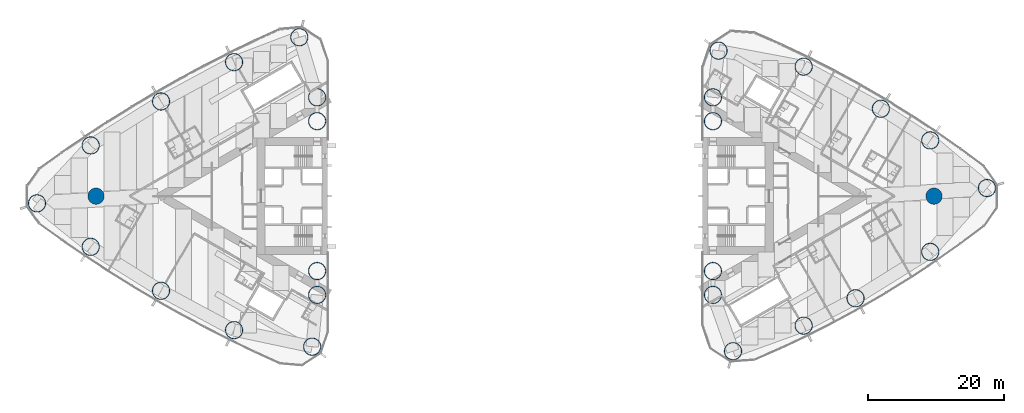
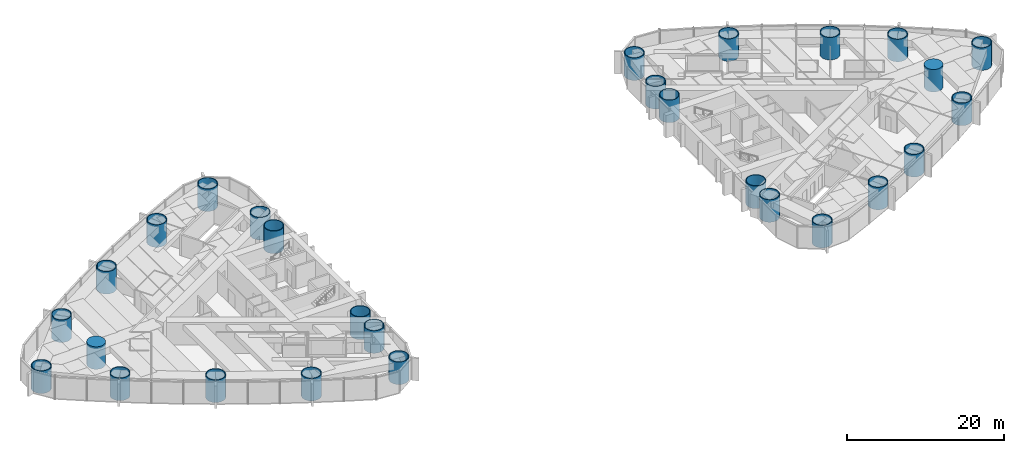
# One storey, part 1 of 18: 28 columns.
"""IFC4 building model written with IfcOpenShell, lengths in metres."""

from ifc_helpers import new_model, si_unit, direction, frame, origin, origin_2d, place, context, subcontext, project, spatial, circle, hollow_circle, extrude, material, material_profile, profile_set, type_object, element, save


model = new_model("IFC4")

# Units and contexts
model_context = context("Model", 3, precision=1e-05, world=origin(), true_north=direction((0.0, 1.0)))
body_context = subcontext(model_context, "Body", "Model", "MODEL_VIEW")
ifc_project = project(units=[si_unit("LENGTHUNIT", "METRE"), si_unit("AREAUNIT", "SQUARE_METRE"), si_unit("VOLUMEUNIT", "CUBIC_METRE"), si_unit("PLANEANGLEUNIT", "RADIAN"), si_unit("MASSUNIT", "GRAM", prefix="KILO")], contexts=[model_context])

# Site, building, storey
site_placement = place(None, origin())
site = spatial("IfcSite", under=ifc_project, at=site_placement, CompositionType="ELEMENT")
building_placement = place(site_placement, origin())
building = spatial("IfcBuilding", under=site, at=building_placement, Name="Lancet Gate Hotel", CompositionType="ELEMENT")
storey_placement = place(building_placement, frame((0.0, 0.0, 115.10009765625)))
storey = spatial("IfcBuildingStorey", under=building, at=storey_placement, Name="L30", CompositionType="ELEMENT", Elevation=115.10009765625)

# Columns
ifc_material_1 = material(Name="Concrete C80/95", Category="concrete")
ifc_material_profile_1 = material_profile(ifc_material_1, circle(Radius=1.199951171875, at=origin_2d()), Name="RC D2400")
ifc_profile_set_1 = profile_set([ifc_material_profile_1], Name="Concrete C80/95")
column_type_1 = type_object("IfcColumnType", Name="Apex column RC D2400", PredefinedType="COLUMN", material=ifc_profile_set_1)
for number, where, z_axis, x_axis, name in (
    (1, (-61.5, 0.0, 0.0), (0.0, 0.0, 1.0), (1.0, 0.0, 0.0), "T1 column AX L30"),
    (2, (61.5, 0.0, 0.0), (0.0, 0.0, 1.0), (1.0, 0.0, 0.0), "T2 column AX L30"),
):
    element("IfcColumn", number, at=place(storey_placement, frame(where, z_axis=z_axis, x_axis=x_axis)), inside=storey, type_object=column_type_1, Name=name, PredefinedType="COLUMN", context=body_context, shape_type="SweptSolid", body=[
        extrude(circle(Radius=1.199951171875, at=origin_2d()), origin(), (0.0, 0.0, 1.0), 3.5),
    ])
ifc_material_2 = material(Name="Composite filled tube, grade 460 plate, grade 80/95 fill", Category="composite")
ifc_material_profile_2 = material_profile(ifc_material_2, hollow_circle(Radius=1.300048828125, WallThickness=0.10009765625, at=origin_2d()), Name="CHS 2600x100")
ifc_profile_set_2 = profile_set([ifc_material_profile_2], Name="Composite filled tube, grade 460 plate, grade 80/95 fill")
column_type_2 = type_object("IfcColumnType", Name="Apex corner column CFT CHS 2600x100", PredefinedType="COLUMN", material=ifc_profile_set_2)
for number, where, z_axis, x_axis, name in (
    (3, (-70.16796875, -1.06005859375, 0.0), (0.0, 0.0, 1.0), (1.0, 0.0, 0.0), "T1 column CA L30"),
    (4, (69.268798828125, 1.1865234375, 0.0), (0.0, 0.0, 1.0), (1.0, 0.0, 0.0), "T2 column CA L30"),
):
    element("IfcColumn", number, at=place(storey_placement, frame(where, z_axis=z_axis, x_axis=x_axis)), inside=storey, type_object=column_type_2, Name=name, PredefinedType="COLUMN", context=body_context, shape_type="SweptSolid", body=[
        extrude(hollow_circle(Radius=1.300048828125, WallThickness=0.10009765625, at=origin_2d()), origin(), (0.0, 0.0, 1.0), 3.5),
    ])
ifc_material_3 = material(Name="Composite filled tube, grade 460 plate, grade 80/95 fill", Category="composite")
ifc_material_profile_3 = material_profile(ifc_material_3, hollow_circle(Radius=1.300048828125, WallThickness=0.10009765625, at=origin_2d()), Name="CHS 2600x100")
ifc_profile_set_3 = profile_set([ifc_material_profile_3], Name="Composite filled tube, grade 460 plate, grade 80/95 fill")
column_type_3 = type_object("IfcColumnType", Name="Perimeter column CFT CHS 2600x100", PredefinedType="COLUMN", material=ifc_profile_set_3)
for number, where, z_axis, x_axis, name in (
    (5, (-29.781005859375, -22.0947265625, 0.0), (0.0, 0.0, 1.0), (1.0, 0.0, 0.0), "T1 column CN L30"),
    (6, (-31.66455078125, 23.318359375, 0.0), (0.0, 0.0, 1.0), (1.0, 0.0, 0.0), "T1 column CS L30"),
    (7, (-29.050048828125, -11.0, 0.0), (0.0, 0.0, 1.0), (1.0, 0.0, 0.0), "T1 column IN L30"),
    (8, (-29.050048828125, 11.0, 0.0), (0.0, 0.0, 1.0), (1.0, 0.0, 0.0), "T1 column IS L30"),
    (9, (-29.050048828125, 14.5, 0.0), (0.0, 0.0, 1.0), (1.0, 0.0, 0.0), "T1 column IT L30"),
    (10, (-29.050048828125, -14.5, 0.0), (0.0, 0.0, 1.0), (1.0, 0.0, 0.0), "T1 column JT L30"),
    (11, (-62.28662109375, -7.444580078125, 0.0), (0.0, 0.0, 1.0), (1.0, 0.0, 0.0), "T1 column ON1 L30"),
    (12, (-51.963134765625, -13.89501953125, 0.0), (0.0, 0.0, 1.0), (1.0, 0.0, 0.0), "T1 column ON2 L30"),
    (13, (-41.244873046875, -19.665771484375, 0.0), (0.0, 0.0, 1.0), (1.0, 0.0, 0.0), "T1 column ON3 L30"),
    (14, (-41.244873046875, 19.665771484375, 0.0), (0.0, 0.0, 1.0), (1.0, 0.0, 0.0), "T1 column OS1 L30"),
    (15, (-51.963134765625, 13.89501953125, 0.0), (0.0, 0.0, 1.0), (1.0, 0.0, 0.0), "T1 column OS2 L30"),
    (16, (-62.28662109375, 7.444580078125, 0.0), (0.0, 0.0, 1.0), (1.0, 0.0, 0.0), "T1 column OS3 L30"),
    (17, (29.8720703125, 21.35498046875, 0.0), (0.0, 0.0, 1.0), (1.0, 0.0, 0.0), "T2 column CN L30"),
    (18, (31.99609375, -22.76318359375, 0.0), (0.0, 0.0, 1.0), (1.0, 0.0, 0.0), "T2 column CS L30"),
    (19, (29.050048828125, 11.0, 0.0), (0.0, 0.0, 1.0), (1.0, 0.0, 0.0), "T2 column IN L30"),
    (20, (29.050048828125, -11.0, 0.0), (0.0, 0.0, 1.0), (1.0, 0.0, 0.0), "T2 column IS L30"),
    (21, (29.050048828125, -14.5, 0.0), (0.0, 0.0, 1.0), (1.0, 0.0, 0.0), "T2 column IT L30"),
    (22, (29.050048828125, 14.5, 0.0), (0.0, 0.0, 1.0), (1.0, 0.0, 0.0), "T2 column JT L30"),
    (23, (60.940673828125, 8.18115234375, 0.0), (0.0, 0.0, 1.0), (1.0, 0.0, 0.0), "T2 column ON1 L30"),
    (24, (53.697021484375, 12.827392578125, 0.0), (0.0, 0.0, 1.0), (1.0, 0.0, 0.0), "T2 column ON2 L30"),
    (25, (42.3662109375, 19.007080078125, 0.0), (0.0, 0.0, 1.0), (1.0, 0.0, 0.0), "T2 column ON3 L30"),
    (26, (42.3662109375, -19.007080078125, 0.0), (0.0, 0.0, 1.0), (1.0, 0.0, 0.0), "T2 column OS1 L30"),
    (27, (49.97900390625, -14.994384765625, 0.0), (0.0, 0.0, 1.0), (1.0, 0.0, 0.0), "T2 column OS2 L30"),
    (28, (60.940673828125, -8.18115234375, 0.0), (0.0, 0.0, 1.0), (1.0, 0.0, 0.0), "T2 column OS3 L30"),
):
    element("IfcColumn", number, at=place(storey_placement, frame(where, z_axis=z_axis, x_axis=x_axis)), inside=storey, type_object=column_type_3, Name=name, PredefinedType="COLUMN", context=body_context, shape_type="SweptSolid", body=[
        extrude(hollow_circle(Radius=1.300048828125, WallThickness=0.10009765625, at=origin_2d()), origin(), (0.0, 0.0, 1.0), 3.5),
    ])

save(model, "model.ifc")
